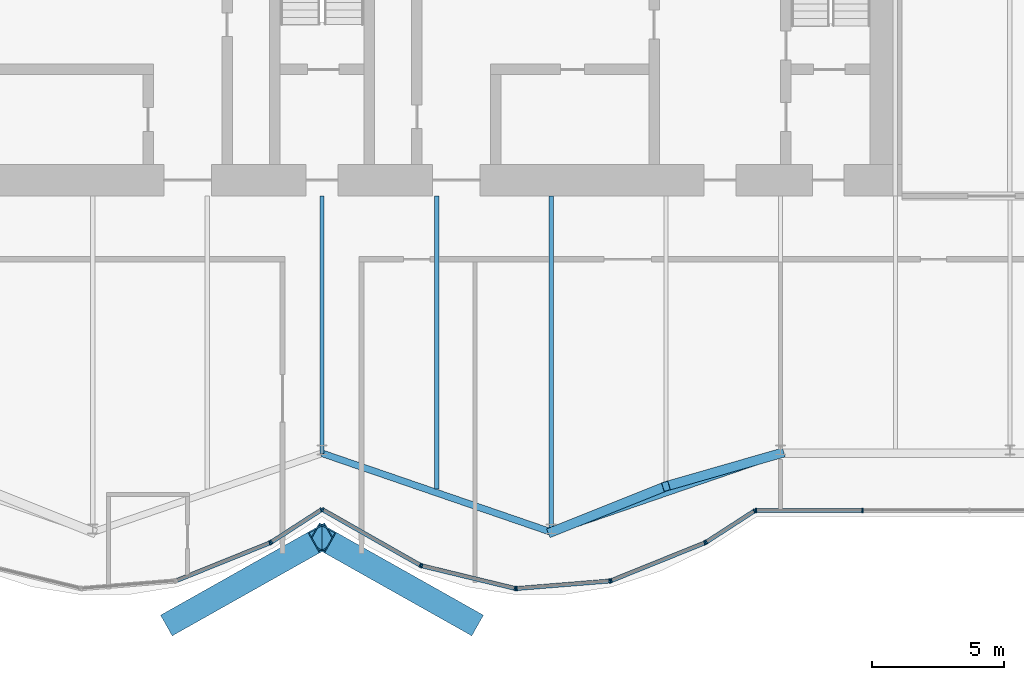
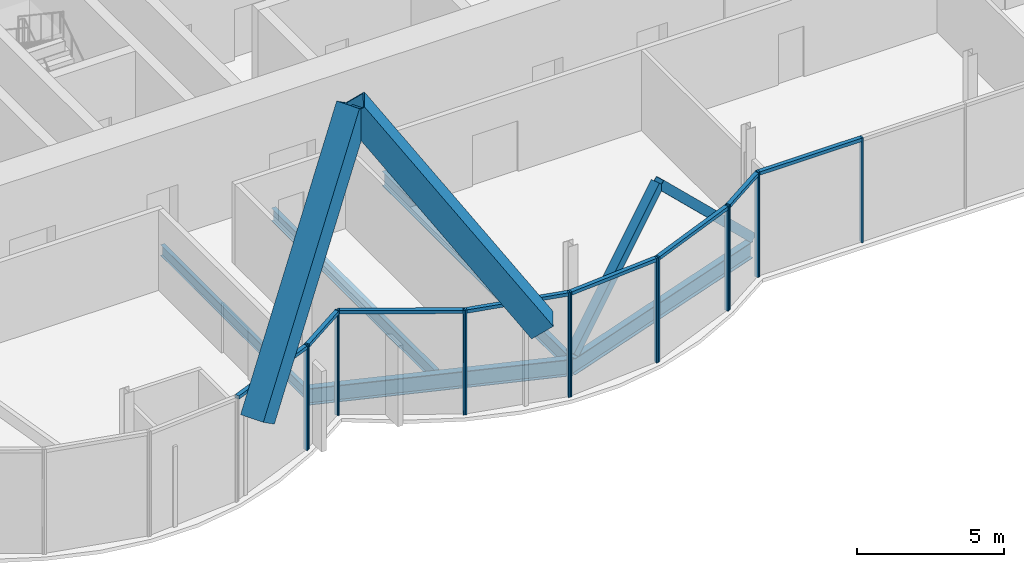
# One storey, part 6 of 17: 27 members, 5 beams, 3 elements without a shape of their own.
"""IFC4 building model written with IfcOpenShell, lengths in metres."""

from ifc_helpers import new_model, si_unit, direction, frame, origin, origin_2d, place, context, subcontext, project, spatial, rectangle, hollow_rectangle, i_section, extrude, material, material_profile, profile_set, type_object, element, aggregate, save


model = new_model("IFC4")

# Units and contexts
model_context = context("Model", 3, precision=1e-05, world=origin(), true_north=direction((0.0, 1.0)))
body_context = subcontext(model_context, "Body", "Model", "MODEL_VIEW")
ifc_project = project(units=[si_unit("LENGTHUNIT", "METRE"), si_unit("AREAUNIT", "SQUARE_METRE"), si_unit("VOLUMEUNIT", "CUBIC_METRE"), si_unit("PLANEANGLEUNIT", "RADIAN"), si_unit("MASSUNIT", "GRAM", prefix="KILO")], contexts=[model_context])

# Site, building, storey
site_placement = place(None, origin())
site = spatial("IfcSite", under=ifc_project, at=site_placement, CompositionType="ELEMENT")
building_placement = place(site_placement, origin())
building = spatial("IfcBuilding", under=site, at=building_placement, Name="Bicima Exchange Tower", CompositionType="ELEMENT")
storey_placement = place(building_placement, frame((0.0, 0.0, 333.5)))
storey = spatial("IfcBuildingStorey", under=building, at=storey_placement, Name="L75", CompositionType="ELEMENT", Elevation=333.5)

# Members
ifc_material_1 = material(Name="Steel ASTM A572 Gr 50", Category="steel")
ifc_material_profile_1 = material_profile(ifc_material_1, hollow_rectangle(XDim=0.89990234375, YDim=0.89990234375, WallThickness=0.050048828125, at=origin_2d()))
ifc_profile_set_1 = profile_set([ifc_material_profile_1], Name="Steel ASTM A572 Gr 50")
member_type_1 = type_object("IfcMemberType", Name="Exo mega brace BOX 900x900x50", PredefinedType="BRACE", material=ifc_profile_set_1)
for number, where, z_axis, x_axis, name in (
    (1, (-5.583251953125, -29.116943359375, 4.308349609375), (0.5001534488, 0.281471637853, 0.818914064318), (-0.490440344676, 0.871474766309, 0.0), "Exo mega brace front"),
    (2, (5.583251953125, -29.116943359375, 4.308349609375), (-0.5001534488, 0.281471637853, 0.818914064318), (-0.490440344676, -0.871474766309, 0.0), "Exo mega brace front"),
):
    element("IfcMember", number, at=place(storey_placement, frame(where, z_axis=z_axis, x_axis=x_axis)), inside=storey, type_object=member_type_1, Name=name, PredefinedType="BRACE", context=body_context, shape_type="SweptSolid", body=[
        extrude(hollow_rectangle(XDim=0.89990234375, YDim=0.89990234375, WallThickness=0.050048828125, at=origin_2d()), origin(), (0.0, 0.0, 1.0), 11.1630859375),
    ])

# Beams
ifc_material_2 = material(Name="Steel ASTM A992 Gr 50", Category="steel")
ifc_material_profile_2 = material_profile(ifc_material_2, i_section(OverallWidth=0.15283203125, OverallDepth=0.45458984375, WebThickness=0.008056640625, FlangeThickness=0.013427734375, at=origin_2d()))
ifc_profile_set_2 = profile_set([ifc_material_profile_2], Name="Steel ASTM A992 Gr 50")
beam_type_1 = type_object("IfcBeamType", Name="Floor beam W18x40", PredefinedType="JOIST", material=ifc_profile_set_2)
beam_1_placement = place(storey_placement, frame((0.0, -13.0, -0.377197265625), z_axis=(0.0, -1.0, 0.0), x_axis=(1.0, 0.0, 0.0)))
element("IfcBeam", 3, at=beam_1_placement, inside=storey, type_object=beam_type_1, Name="Floor beam", PredefinedType="JOIST", context=body_context, shape_type="SweptSolid", body=[
    extrude(i_section(OverallWidth=0.15283203125, OverallDepth=0.45458984375, WebThickness=0.008056640625, FlangeThickness=0.013427734375, at=origin_2d()), origin(), (0.0, 0.0, 1.0), 9.763916015625),
])
ifc_material_profile_3 = material_profile(ifc_material_2, i_section(OverallWidth=0.165771484375, OverallDepth=0.5283203125, WebThickness=0.009765625, FlangeThickness=0.013671875, at=origin_2d()))
ifc_profile_set_3 = profile_set([ifc_material_profile_3], Name="Steel ASTM A992 Gr 50")
beam_type_2 = type_object("IfcBeamType", Name="Floor beam W21x50", PredefinedType="JOIST", material=ifc_profile_set_3)
beam_2_placement = place(storey_placement, frame((4.35009765625, -13.0, -0.414306640625), z_axis=(0.0, -1.0, 0.0), x_axis=(1.0, 0.0, 0.0)))
element("IfcBeam", 4, at=beam_2_placement, inside=storey, type_object=beam_type_2, Name="Floor beam", PredefinedType="JOIST", context=body_context, shape_type="SweptSolid", body=[
    extrude(i_section(OverallWidth=0.165771484375, OverallDepth=0.5283203125, WebThickness=0.009765625, FlangeThickness=0.013671875, at=origin_2d()), origin(), (0.0, 0.0, 1.0), 11.123779296875),
])
ifc_material_profile_4 = material_profile(ifc_material_2, i_section(OverallWidth=0.177978515625, OverallDepth=0.599365234375, WebThickness=0.010009765625, FlangeThickness=0.012939453125, at=origin_2d()))
ifc_profile_set_4 = profile_set([ifc_material_profile_4], Name="Steel ASTM A992 Gr 50")
beam_type_3 = type_object("IfcBeamType", Name="Floor beam W24x55", PredefinedType="JOIST", material=ifc_profile_set_4)
beam_3_placement = place(storey_placement, frame((8.699951171875, -13.0, -0.44970703125), z_axis=(0.0, -1.0, 0.0), x_axis=(1.0, 0.0, 0.0)))
element("IfcBeam", 5, at=beam_3_placement, inside=storey, type_object=beam_type_3, Name="Floor beam", PredefinedType="JOIST", context=body_context, shape_type="SweptSolid", body=[
    extrude(i_section(OverallWidth=0.177978515625, OverallDepth=0.599365234375, WebThickness=0.010009765625, FlangeThickness=0.012939453125, at=origin_2d()), origin(), (0.0, 0.0, 1.0), 12.619384765625),
])
ifc_material_profile_5 = material_profile(ifc_material_2, i_section(OverallWidth=0.256591796875, OverallDepth=0.693359375, WebThickness=0.014404296875, FlangeThickness=0.023681640625, at=origin_2d()))
ifc_profile_set_5 = profile_set([ifc_material_profile_5], Name="Steel ASTM A992 Gr 50")
beam_type_4 = type_object("IfcBeamType", Name="Front girder W27x114", PredefinedType="BEAM", material=ifc_profile_set_5)
for number, where, z_axis, x_axis, name in (
    (6, (0.0, -22.763916015625, -0.49658203125), (0.945666456746, -0.325138359143, 0.0), (0.325138359143, 0.945666456746, 0.0), "Front girder"),
    (7, (8.699951171875, -25.755126953125, -0.49658203125), (0.945666456746, 0.325138359143, 0.0), (-0.325138359143, 0.945666456746, 0.0), "Front girder"),
):
    element("IfcBeam", number, at=place(storey_placement, frame(where, z_axis=z_axis, x_axis=x_axis)), inside=storey, type_object=beam_type_4, Name=name, PredefinedType="BEAM", context=body_context, shape_type="SweptSolid", body=[
        extrude(i_section(OverallWidth=0.256591796875, OverallDepth=0.693359375, WebThickness=0.014404296875, FlangeThickness=0.023681640625, at=origin_2d()), origin(), (0.0, 0.0, 1.0), 9.19970703125),
    ])

# Curtain wall, members
ifc_material_3 = material(Name="Anodised bronze aluminium", Category="aluminium")
curtain_wall_type = type_object("IfcCurtainWallType", Name="Front glass wall", PredefinedType="NOTDEFINED", material=ifc_material_3)
curtain_wall_1_placement = place(storey_placement, origin())
curtain_wall_1 = element("IfcCurtainWall", 8, at=curtain_wall_1_placement, inside=storey, type_object=curtain_wall_type, Name="Front glass wall L75 run 6", PredefinedType="NOTDEFINED")
ifc_material_profile_6 = material_profile(ifc_material_3, rectangle(XDim=0.159912109375, YDim=0.06005859375, at=origin_2d()))
ifc_profile_set_6 = profile_set([ifc_material_profile_6], Name="Anodised bronze aluminium")
member_type_2 = type_object("IfcMemberType", Name="Front glass wall mullion 60 x 160", PredefinedType="MULLION", material=ifc_profile_set_6)
member_1_placement = place(storey_placement, frame((-1.97412109375, -26.15966796875, 0.0), z_axis=(0.0, 0.0, 1.0), x_axis=(-0.374705304, 0.92714396679, 0.0)))
member_1 = element("IfcMember", 9, at=member_1_placement, type_object=member_type_2, Name="Front glass wall mullion 2", PredefinedType="MULLION", context=body_context, shape_type="SweptSolid", body=[
    extrude(rectangle(XDim=0.159912109375, YDim=0.06005859375, at=origin_2d()), origin(), (0.0, 0.0, 1.0), 4.35009765625),
])
member_2_placement = place(storey_placement, frame((-1.921142578125, -26.132080078125, 0.0), z_axis=(0.0, 0.0, 1.0), x_axis=(-0.542897457326, 0.839798994301, 0.0)))
member_2 = element("IfcMember", 10, at=member_2_placement, type_object=member_type_2, Name="Front glass wall mullion 1", PredefinedType="MULLION", context=body_context, shape_type="SweptSolid", body=[
    extrude(rectangle(XDim=0.159912109375, YDim=0.06005859375, at=origin_2d()), origin(), (0.0, 0.0, 1.0), 4.35009765625),
])
member_3_placement = place(storey_placement, frame((-0.025146484375, -24.906494140625, 0.0), z_axis=(0.0, 0.0, 1.0), x_axis=(-0.542897457326, 0.839798994301, 0.0)))
member_3 = element("IfcMember", 11, at=member_3_placement, type_object=member_type_2, Name="Front glass wall mullion 2", PredefinedType="MULLION", context=body_context, shape_type="SweptSolid", body=[
    extrude(rectangle(XDim=0.159912109375, YDim=0.06005859375, at=origin_2d()), origin(), (0.0, 0.0, 1.0), 4.35009765625),
])

curtain_wall_2_placement = place(storey_placement, origin())
curtain_wall_2 = element("IfcCurtainWall", 12, at=curtain_wall_2_placement, inside=storey, type_object=curtain_wall_type, Name="Front glass wall L75 run 11", PredefinedType="NOTDEFINED")
member_4_placement = place(storey_placement, frame((0.026123046875, -24.905029296875, 0.0), z_axis=(0.0, 0.0, 1.0), x_axis=(0.494330311331, 0.869274147378, 0.0)))
member_4 = element("IfcMember", 13, at=member_4_placement, type_object=member_type_2, Name="Front glass wall mullion 1", PredefinedType="MULLION", context=body_context, shape_type="SweptSolid", body=[
    extrude(rectangle(XDim=0.159912109375, YDim=0.06005859375, at=origin_2d()), origin(), (0.0, 0.0, 1.0), 4.35009765625),
])
member_5_placement = place(storey_placement, frame((3.7265625, -27.009521484375, 0.0), z_axis=(0.0, 0.0, 1.0), x_axis=(0.494330311331, 0.869274147378, 0.0)))
member_5 = element("IfcMember", 14, at=member_5_placement, type_object=member_type_2, Name="Front glass wall mullion 2", PredefinedType="MULLION", context=body_context, shape_type="SweptSolid", body=[
    extrude(rectangle(XDim=0.159912109375, YDim=0.06005859375, at=origin_2d()), origin(), (0.0, 0.0, 1.0), 4.35009765625),
])
member_6_placement = place(storey_placement, frame((3.781982421875, -27.03125, 0.0), z_axis=(0.0, 0.0, 1.0), x_axis=(0.235681529503, 0.971830343553, 0.0)))
member_6 = element("IfcMember", 15, at=member_6_placement, type_object=member_type_2, Name="Front glass wall mullion 1", PredefinedType="MULLION", context=body_context, shape_type="SweptSolid", body=[
    extrude(rectangle(XDim=0.159912109375, YDim=0.06005859375, at=origin_2d()), origin(), (0.0, 0.0, 1.0), 4.35009765625),
])
member_7_placement = place(storey_placement, frame((7.322509765625, -27.889892578125, 0.0), z_axis=(0.0, 0.0, 1.0), x_axis=(0.235681529503, 0.971830343553, 0.0)))
member_7 = element("IfcMember", 16, at=member_7_placement, type_object=member_type_2, Name="Front glass wall mullion 2", PredefinedType="MULLION", context=body_context, shape_type="SweptSolid", body=[
    extrude(rectangle(XDim=0.159912109375, YDim=0.06005859375, at=origin_2d()), origin(), (0.0, 0.0, 1.0), 4.35009765625),
])
member_8_placement = place(storey_placement, frame((7.381591796875, -27.89453125, 0.0), z_axis=(0.0, 0.0, 1.0), x_axis=(-0.080588612633, 0.99674744821, 0.0)))
member_8 = element("IfcMember", 17, at=member_8_placement, type_object=member_type_2, Name="Front glass wall mullion 1", PredefinedType="MULLION", context=body_context, shape_type="SweptSolid", body=[
    extrude(rectangle(XDim=0.159912109375, YDim=0.06005859375, at=origin_2d()), origin(), (0.0, 0.0, 1.0), 4.35009765625),
])
member_9_placement = place(storey_placement, frame((10.916015625, -27.60888671875, 0.0), z_axis=(0.0, 0.0, 1.0), x_axis=(-0.080588612633, 0.99674744821, 0.0)))
member_9 = element("IfcMember", 18, at=member_9_placement, type_object=member_type_2, Name="Front glass wall mullion 2", PredefinedType="MULLION", context=body_context, shape_type="SweptSolid", body=[
    extrude(rectangle(XDim=0.159912109375, YDim=0.06005859375, at=origin_2d()), origin(), (0.0, 0.0, 1.0), 4.35009765625),
])
member_10_placement = place(storey_placement, frame((10.973876953125, -27.59521484375, 0.0), z_axis=(0.0, 0.0, 1.0), x_axis=(-0.374705304, 0.92714396679, 0.0)))
member_10 = element("IfcMember", 19, at=member_10_placement, type_object=member_type_2, Name="Front glass wall mullion 1", PredefinedType="MULLION", context=body_context, shape_type="SweptSolid", body=[
    extrude(rectangle(XDim=0.159912109375, YDim=0.06005859375, at=origin_2d()), origin(), (0.0, 0.0, 1.0), 4.35009765625),
])
member_11_placement = place(storey_placement, frame((14.52587890625, -26.15966796875, 0.0), z_axis=(0.0, 0.0, 1.0), x_axis=(-0.374705304, 0.92714396679, 0.0)))
member_11 = element("IfcMember", 20, at=member_11_placement, type_object=member_type_2, Name="Front glass wall mullion 2", PredefinedType="MULLION", context=body_context, shape_type="SweptSolid", body=[
    extrude(rectangle(XDim=0.159912109375, YDim=0.06005859375, at=origin_2d()), origin(), (0.0, 0.0, 1.0), 4.35009765625),
])
member_12_placement = place(storey_placement, frame((14.578857421875, -26.132080078125, 0.0), z_axis=(0.0, 0.0, 1.0), x_axis=(-0.542909183079, 0.839791413941, 0.0)))
member_12 = element("IfcMember", 21, at=member_12_placement, type_object=member_type_2, Name="Front glass wall mullion 1", PredefinedType="MULLION", context=body_context, shape_type="SweptSolid", body=[
    extrude(rectangle(XDim=0.159912109375, YDim=0.06005859375, at=origin_2d()), origin(), (0.0, 0.0, 1.0), 4.35009765625),
])
member_13_placement = place(storey_placement, frame((16.406982421875, -24.9501953125, 0.0), z_axis=(0.0, 0.0, 1.0), x_axis=(-0.542909183079, 0.839791413941, 0.0)))
member_13 = element("IfcMember", 22, at=member_13_placement, type_object=member_type_2, Name="Front glass wall mullion 2", PredefinedType="MULLION", context=body_context, shape_type="SweptSolid", body=[
    extrude(rectangle(XDim=0.159912109375, YDim=0.06005859375, at=origin_2d()), origin(), (0.0, 0.0, 1.0), 4.35009765625),
])

curtain_wall_3_placement = place(storey_placement, origin())
curtain_wall_3 = element("IfcCurtainWall", 23, at=curtain_wall_3_placement, inside=storey, type_object=curtain_wall_type, Name="Front glass wall L75 run 16", PredefinedType="NOTDEFINED")
member_14_placement = place(storey_placement, frame((16.462158203125, -24.93408203125, 0.0), z_axis=(0.0, 0.0, 1.0), x_axis=(0.0, 1.0, 0.0)))
member_14 = element("IfcMember", 24, at=member_14_placement, type_object=member_type_2, Name="Front glass wall mullion 1", PredefinedType="MULLION", context=body_context, shape_type="SweptSolid", body=[
    extrude(rectangle(XDim=0.159912109375, YDim=0.06005859375, at=origin_2d()), origin(), (0.0, 0.0, 1.0), 4.35009765625),
])
member_15_placement = place(storey_placement, frame((20.51171875, -24.93408203125, 0.0), z_axis=(0.0, 0.0, 1.0), x_axis=(0.0, 1.0, 0.0)))
member_15 = element("IfcMember", 25, at=member_15_placement, type_object=member_type_2, Name="Front glass wall mullion 2", PredefinedType="MULLION", context=body_context, shape_type="SweptSolid", body=[
    extrude(rectangle(XDim=0.159912109375, YDim=0.06005859375, at=origin_2d()), origin(), (0.0, 0.0, 1.0), 4.35009765625),
])

# Member
ifc_material_profile_7 = material_profile(ifc_material_3, rectangle(XDim=0.159912109375, YDim=0.139892578125, at=origin_2d()))
ifc_profile_set_7 = profile_set([ifc_material_profile_7], Name="Anodised bronze aluminium")
member_type_3 = type_object("IfcMemberType", Name="Front glass wall transom 140 x 160", PredefinedType="USERDEFINED", material=ifc_profile_set_7)
member_16_placement = place(storey_placement, frame((-5.498291015625, -27.583984375, 4.280029296875), z_axis=(0.927140215882, 0.374714584842, 0.0), x_axis=(-0.374714584842, 0.927140215882, 0.0)))
member_16 = element("IfcMember", 26, at=member_16_placement, type_object=member_type_3, Name="Front glass wall transom 1.1", ObjectType="TRANSOM", PredefinedType="USERDEFINED", context=body_context, shape_type="SweptSolid", body=[
    extrude(rectangle(XDim=0.159912109375, YDim=0.139892578125, at=origin_2d()), origin(), (0.0, 0.0, 1.0), 3.77099609375),
])

member_17_placement = place(storey_placement, frame((-1.89599609375, -26.11572265625, 4.280029296875), z_axis=(0.839811483481, 0.542878137536, 0.0), x_axis=(-0.542878137536, 0.839811483481, 0.0)))
member_17 = element("IfcMember", 27, at=member_17_placement, type_object=member_type_3, Name="Front glass wall transom 1.1", ObjectType="TRANSOM", PredefinedType="USERDEFINED", context=body_context, shape_type="SweptSolid", body=[
    extrude(rectangle(XDim=0.159912109375, YDim=0.139892578125, at=origin_2d()), origin(), (0.0, 0.0, 1.0), 2.19775390625),
])

aggregate(curtain_wall_1, [member_1, member_16, member_2, member_3, member_17])

member_18_placement = place(storey_placement, frame((0.05224609375, -24.919921875, 4.280029296875), z_axis=(0.869290118928, -0.494302224488, 0.0), x_axis=(0.494302224488, 0.869290118928, 0.0)))
member_18 = element("IfcMember", 28, at=member_18_placement, type_object=member_type_3, Name="Front glass wall transom 1.1", ObjectType="TRANSOM", PredefinedType="USERDEFINED", context=body_context, shape_type="SweptSolid", body=[
    extrude(rectangle(XDim=0.159912109375, YDim=0.139892578125, at=origin_2d()), origin(), (0.0, 0.0, 1.0), 4.19677734375),
])

member_19_placement = place(storey_placement, frame((3.81103515625, -27.038330078125, 4.280029296875), z_axis=(0.971833557815, -0.235668275132, 0.0), x_axis=(0.235668275132, 0.971833557815, 0.0)))
member_19 = element("IfcMember", 29, at=member_19_placement, type_object=member_type_3, Name="Front glass wall transom 1.1", ObjectType="TRANSOM", PredefinedType="USERDEFINED", context=body_context, shape_type="SweptSolid", body=[
    extrude(rectangle(XDim=0.159912109375, YDim=0.139892578125, at=origin_2d()), origin(), (0.0, 0.0, 1.0), 3.583251953125),
])

member_20_placement = place(storey_placement, frame((7.41162109375, -27.89208984375, 4.280029296875), z_axis=(0.9967456465, 0.080610893699, 0.0), x_axis=(-0.080610893699, 0.9967456465, 0.0)))
member_20 = element("IfcMember", 30, at=member_20_placement, type_object=member_type_3, Name="Front glass wall transom 1.1", ObjectType="TRANSOM", PredefinedType="USERDEFINED", context=body_context, shape_type="SweptSolid", body=[
    extrude(rectangle(XDim=0.159912109375, YDim=0.139892578125, at=origin_2d()), origin(), (0.0, 0.0, 1.0), 3.48583984375),
])

member_21_placement = place(storey_placement, frame((11.001708984375, -27.583984375, 4.280029296875), z_axis=(0.927140215882, 0.374714584842, 0.0), x_axis=(-0.374714584842, 0.927140215882, 0.0)))
member_21 = element("IfcMember", 31, at=member_21_placement, type_object=member_type_3, Name="Front glass wall transom 1.1", ObjectType="TRANSOM", PredefinedType="USERDEFINED", context=body_context, shape_type="SweptSolid", body=[
    extrude(rectangle(XDim=0.159912109375, YDim=0.139892578125, at=origin_2d()), origin(), (0.0, 0.0, 1.0), 3.77099609375),
])

member_22_placement = place(storey_placement, frame((14.60400390625, -26.11572265625, 4.280029296875), z_axis=(0.839792890287, 0.542906899407, 0.0), x_axis=(-0.542906899407, 0.839792890287, 0.0)))
member_22 = element("IfcMember", 32, at=member_22_placement, type_object=member_type_3, Name="Front glass wall transom 1.1", ObjectType="TRANSOM", PredefinedType="USERDEFINED", context=body_context, shape_type="SweptSolid", body=[
    extrude(rectangle(XDim=0.159912109375, YDim=0.139892578125, at=origin_2d()), origin(), (0.0, 0.0, 1.0), 2.11669921875),
])

aggregate(curtain_wall_2, [member_4, member_5, member_18, member_6, member_7, member_19, member_8, member_9, member_20, member_10, member_11, member_21, member_12, member_13, member_22])

member_23_placement = place(storey_placement, frame((16.4921875, -24.93408203125, 4.280029296875), z_axis=(1.0, 0.0, 0.0), x_axis=(0.0, 1.0, 0.0)))
member_23 = element("IfcMember", 33, at=member_23_placement, type_object=member_type_3, Name="Front glass wall transom 1.1", ObjectType="TRANSOM", PredefinedType="USERDEFINED", context=body_context, shape_type="SweptSolid", body=[
    extrude(rectangle(XDim=0.159912109375, YDim=0.139892578125, at=origin_2d()), origin(), (0.0, 0.0, 1.0), 3.989501953125),
])

aggregate(curtain_wall_3, [member_14, member_15, member_23])

# Members
ifc_material_profile_8 = material_profile(ifc_material_1, hollow_rectangle(XDim=0.355712890625, YDim=0.355712890625, WallThickness=0.01171875, at=origin_2d()))
ifc_profile_set_8 = profile_set([ifc_material_profile_8], Name="Steel ASTM A572 Gr 50")
member_type_4 = type_object("IfcMemberType", Name="Mega brace HSS14x14x1/2", PredefinedType="BRACE", material=ifc_profile_set_8)
member_24_placement = place(storey_placement, frame((8.699951171875, -25.755126953125, 0.0), z_axis=(0.669641624162, 0.267811550891, 0.692717163349), x_axis=(-0.3713367687, 0.928498252132, 0.0)))
element("IfcMember", 34, at=member_24_placement, inside=storey, type_object=member_type_4, Name="Mega brace front", PredefinedType="BRACE", context=body_context, shape_type="SweptSolid", body=[
    extrude(hollow_rectangle(XDim=0.355712890625, YDim=0.355712890625, WallThickness=0.01171875, at=origin_2d()), origin(), (0.0, 0.0, 1.0), 6.49609375),
])
member_25_placement = place(storey_placement, frame((17.39990234375, -22.763916015625, 0.0), z_axis=(-0.681519101026, -0.196074923492, 0.705043501718), x_axis=(0.27648739579, -0.961017544049, 0.0)))
element("IfcMember", 35, at=member_25_placement, inside=storey, type_object=member_type_4, Name="Mega brace front", PredefinedType="BRACE", context=body_context, shape_type="SweptSolid", body=[
    extrude(hollow_rectangle(XDim=0.355712890625, YDim=0.355712890625, WallThickness=0.01171875, at=origin_2d()), origin(), (0.0, 0.0, 1.0), 6.382568359375),
])

save(model, "model.ifc")
